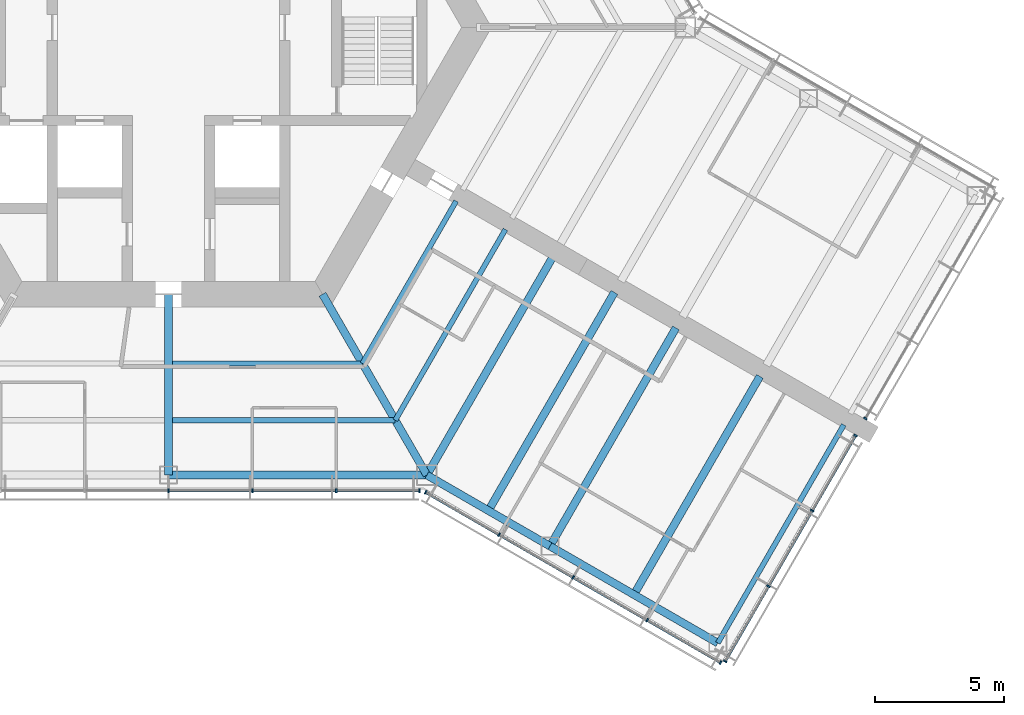
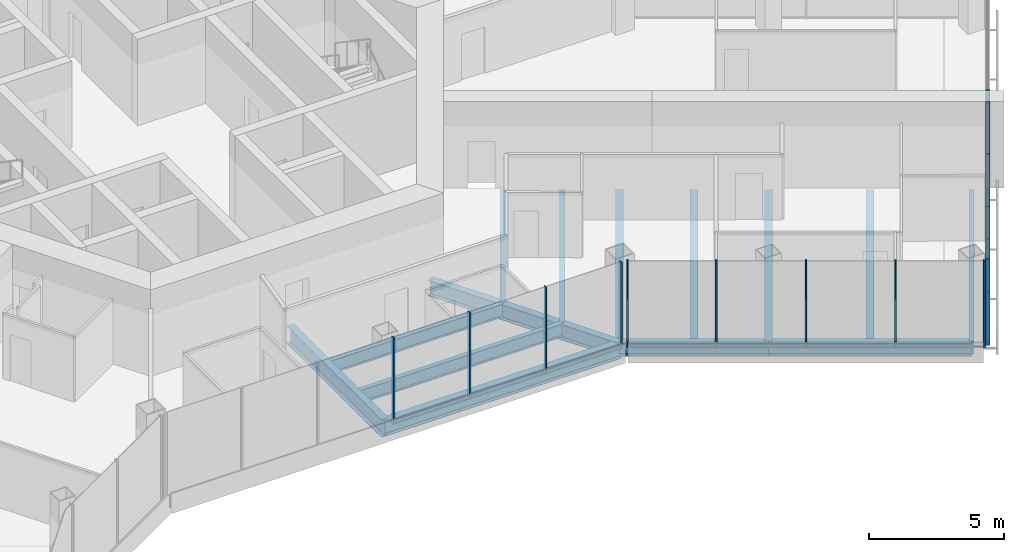
# One storey, part 5 of 19: 24 members, 14 beams, 4 elements without a shape of their own.
"""IFC4 building model written with IfcOpenShell, lengths in metres."""

import ifcopenshell
import ifcopenshell.guid

model = None  # the IFC model being written
_history = None  # IfcOwnerHistory: only IFC2X3 demands one
_inside = {}  # id of a spatial element -> (the spatial element, [elements in it])
_under = {}  # id of a project, library or spatial element -> (it, [spatial elements below it])
_declared = {}  # id of a project -> (the project, [libraries it declares])
_typed = {}  # id of a type object -> (the type object, [elements of that type])
_made_of = {}  # id of a material, layer set ... -> (it, [elements and type objects made of it])


def new_model(schema):
    """Start an empty IFC model of exactly this schema.

    Asked for "IFC4X3", IfcOpenShell would pick the latest addendum, in which some entities
    have other attributes; the version numbers below select the first issue.
    IFC2X3 requires an IfcOwnerHistory on every rooted entity: one is made here for all.
    """
    global model, _history
    if schema == "IFC4X3":
        model = ifcopenshell.file(schema_version=(4, 3, 0, 0))
    else:
        model = ifcopenshell.file(schema=schema)
    _inside.clear()
    _under.clear()
    _declared.clear()
    _typed.clear()
    _made_of.clear()
    _history = None
    if model.schema == "IFC2X3":
        org = make("IfcOrganization", Name="unknown")
        user = make(
            "IfcPersonAndOrganization",
            ThePerson=make("IfcPerson", FamilyName="unknown"),
            TheOrganization=org,
        )
        app = make(
            "IfcApplication",
            ApplicationDeveloper=org,
            Version="unknown",
            ApplicationFullName="unknown",
            ApplicationIdentifier="unknown",
        )
        _history = make(
            "IfcOwnerHistory",
            OwningUser=user,
            OwningApplication=app,
            ChangeAction="ADDED",
            CreationDate=0,
        )
    return model


def make(cls, **values):
    """One entity of the class cls with the attributes given. An attribute that is None is left unset."""
    return model.create_entity(
        cls, **{name: value for name, value in values.items() if value is not None}
    )


def rooted(cls, **values):
    """An entity with a GlobalId (a new one), such as an element, a storey or a relation."""
    return make(cls, GlobalId=ifcopenshell.guid.new(), OwnerHistory=_history, **values)


def si_unit(unit_type, name, prefix=None):
    """IfcSIUnit, for example si_unit("LENGTHUNIT", "METRE", prefix="MILLI")."""
    return make("IfcSIUnit", UnitType=unit_type, Prefix=prefix, Name=name)


def assignment(units):
    """IfcUnitAssignment: the units of a project."""
    return None if units is None else make("IfcUnitAssignment", Units=units)


def point(xyz):
    """IfcCartesianPoint."""
    return None if xyz is None else make("IfcCartesianPoint", Coordinates=xyz)


def direction(xyz):
    """IfcDirection."""
    return None if xyz is None else make("IfcDirection", DirectionRatios=xyz)


def frame(location, z_axis=None, x_axis=None):
    """IfcAxis2Placement3D, a coordinate frame: its origin and axes. An axis left out is left unset."""
    return make(
        "IfcAxis2Placement3D",
        Location=point(location),
        Axis=direction(z_axis),
        RefDirection=direction(x_axis),
    )


def frame_2d(location, x_axis=None):
    """IfcAxis2Placement2D, a coordinate frame in the plane: its origin and x axis."""
    return make(
        "IfcAxis2Placement2D", Location=point(location), RefDirection=direction(x_axis)
    )


def origin():
    """The frame at (0, 0, 0) with its axes left unset."""
    return frame((0.0, 0.0, 0.0))


def origin_2d():
    """The frame at (0, 0) in the plane with its x axis left unset."""
    return frame_2d((0.0, 0.0))


def place(relative_to, where):
    """IfcLocalPlacement: puts the frame where relative to a parent placement (None: the world)."""
    return make(
        "IfcLocalPlacement", PlacementRelTo=relative_to, RelativePlacement=where
    )


def context(
    kind, dimensions, precision=None, world=None, true_north=None, identifier=None
):
    """IfcGeometricRepresentationContext, for example the 3D "Model" context."""
    return make(
        "IfcGeometricRepresentationContext",
        ContextIdentifier=identifier,
        ContextType=kind,
        CoordinateSpaceDimension=dimensions,
        Precision=precision,
        WorldCoordinateSystem=world,
        TrueNorth=true_north,
    )


def subcontext(parent, identifier, kind, view, scale=None):
    """IfcGeometricRepresentationSubContext, for example "Body" below "Model"."""
    return make(
        "IfcGeometricRepresentationSubContext",
        ContextIdentifier=identifier,
        ContextType=kind,
        ParentContext=parent,
        TargetScale=scale,
        TargetView=view,
    )


def project(units=None, contexts=None):
    """IfcProject with its units and contexts."""
    return rooted(
        "IfcProject",
        Name="project",
        RepresentationContexts=contexts,
        UnitsInContext=assignment(units),
    )


def spatial(cls, under=None, at=None, **own):
    """A site, building, storey or space (cls), placed at a placement, below another one or the project."""
    s = rooted(cls, ObjectPlacement=at, **own)
    if under is not None:
        _under.setdefault(under.id(), (under, []))[1].append(s)
    return s


def profile(cls, at=None, kind="AREA", **sizes):
    """A parametric profile (cls). Its sizes go by their IFC names, for example OverallWidth=200.0."""
    return make(cls, ProfileType=kind, Position=at, **sizes)


def rectangle(**sizes):
    """IfcRectangleProfileDef."""
    return profile("IfcRectangleProfileDef", **sizes)


def i_section(**sizes):
    """IfcIShapeProfileDef."""
    return profile("IfcIShapeProfileDef", **sizes)


def extrude(swept, where, along, depth):
    """IfcExtrudedAreaSolid: the profile swept, set in the frame where, extruded along a direction by depth."""
    return make(
        "IfcExtrudedAreaSolid",
        SweptArea=swept,
        Position=where,
        ExtrudedDirection=direction(along),
        Depth=depth,
    )


def shape(context_of_items, identifier, shape_type, items):
    """IfcShapeRepresentation: the items that make up one representation, for example the "Body"."""
    return make(
        "IfcShapeRepresentation",
        ContextOfItems=context_of_items,
        RepresentationIdentifier=identifier,
        RepresentationType=shape_type,
        Items=items,
    )


def material(Name=None, Category=None):
    """IfcMaterial."""
    return make("IfcMaterial", Name=Name, Category=Category)


def material_profile(
    of_material, cross_section, Name=None, Category=None, Priority=None
):
    """IfcMaterialProfile: a cross section and its material."""
    return make(
        "IfcMaterialProfile",
        Name=Name,
        Material=of_material,
        Profile=cross_section,
        Priority=Priority,
        Category=Category,
    )


def profile_set(profiles, Name=None, composite=None):
    """IfcMaterialProfileSet."""
    return make(
        "IfcMaterialProfileSet",
        Name=Name,
        MaterialProfiles=profiles,
        CompositeProfile=composite,
    )


def made_of(thing, what):
    """Note that an element or type object is made of a material, layer set ...; save() writes the relation."""
    if what is not None:
        _made_of.setdefault(what.id(), (what, []))[1].append(thing)
    return thing


def type_object(cls, material=None, **own):
    """A type object (cls), such as IfcWallType, which elements share."""
    return made_of(rooted(cls, **own), material)


def element(
    cls,
    number,
    at=None,
    inside=None,
    cuts=None,
    type_object=None,
    material=None,
    context=None,
    identifier="Body",
    shape_type=None,
    held_by="IfcProductDefinitionShape",
    body=None,
    shapes=None,
    **own,
):
    """One element of the class cls, such as IfcWall. Its Tag is "e" and its number.

    at: its placement. inside: the storey or other place that contains it. cuts: it is an
    opening in that element (IfcRelVoidsElement). A single representation is given by context,
    identifier, shape_type and body (its items); several are given by shapes. held_by: the class
    of the entity that holds the representations. save() writes the other relations.
    """
    e = rooted(cls, Tag="e%d" % number, ObjectPlacement=at, **own)
    if body is not None:
        shapes = [shape(context, identifier, shape_type, body)]
    if shapes is not None:
        e.Representation = make(held_by, Representations=shapes)
    if inside is not None:
        _inside.setdefault(inside.id(), (inside, []))[1].append(e)
    if cuts is not None:
        rooted(
            "IfcRelVoidsElement", RelatingBuildingElement=cuts, RelatedOpeningElement=e
        )
    if type_object is not None:
        _typed.setdefault(type_object.id(), (type_object, []))[1].append(e)
    return made_of(e, material)


def aggregate(whole, parts):
    """IfcRelAggregates: a whole, such as a stair, and the parts it consists of."""
    return rooted("IfcRelAggregates", RelatingObject=whole, RelatedObjects=parts)


def save(model, path):
    """Write the relations noted so far, then the file.

    IfcRelAggregates (storeys below a building ...), IfcRelContainedInSpatialStructure (elements
    in a storey), IfcRelDefinesByType, IfcRelAssociatesMaterial and IfcRelDeclares: one each for
    every whole, place, type object, material and project.
    """
    for whole, parts in _under.values():
        aggregate(whole, parts)
    for where, things in _inside.values():
        rooted(
            "IfcRelContainedInSpatialStructure",
            RelatedElements=things,
            RelatingStructure=where,
        )
    for kind, things in _typed.values():
        rooted("IfcRelDefinesByType", RelatedObjects=things, RelatingType=kind)
    for what, things in _made_of.values():
        rooted("IfcRelAssociatesMaterial", RelatedObjects=things, RelatingMaterial=what)
    for by, libraries in _declared.values():
        rooted("IfcRelDeclares", RelatingContext=by, RelatedDefinitions=libraries)
    model.write(path)


model = new_model("IFC4")

# Units and contexts
model_context = context("Model", 3, precision=1e-05, world=origin(), true_north=direction((0.0, 1.0)))
body_context = subcontext(model_context, "Body", "Model", "MODEL_VIEW")
ifc_project = project(units=[si_unit("LENGTHUNIT", "METRE"), si_unit("AREAUNIT", "SQUARE_METRE"), si_unit("VOLUMEUNIT", "CUBIC_METRE"), si_unit("PLANEANGLEUNIT", "RADIAN"), si_unit("MASSUNIT", "GRAM", prefix="KILO")], contexts=[model_context])

# Site, building, storey
site_placement = place(None, origin())
site = spatial("IfcSite", under=ifc_project, at=site_placement, CompositionType="ELEMENT")
building_placement = place(site_placement, origin())
building = spatial("IfcBuilding", under=site, at=building_placement, Name="Kasaneha Research Tower", CompositionType="ELEMENT")
storey_placement = place(building_placement, frame((0.0, 0.0, 164.300048828125)))
storey = spatial("IfcBuildingStorey", under=building, at=storey_placement, Name="L41", CompositionType="ELEMENT", Elevation=164.300048828125)

# Beams
ifc_material_1 = material(Name="Steel SN490B", Category="steel")
ifc_material_profile_1 = material_profile(ifc_material_1, i_section(OverallWidth=0.199951171875, OverallDepth=0.60009765625, WebThickness=0.010986328125, FlangeThickness=0.01708984375, FilletRadius=0.012939453125, at=origin_2d()), Name="H-600x200x11x17")
ifc_profile_set_1 = profile_set([ifc_material_profile_1], Name="Steel SN490B")
beam_type_1 = type_object("IfcBeamType", Name="B1-3 secondary beam H-600x200x11x17", PredefinedType="JOIST", material=ifc_profile_set_1)
beam_1_placement = place(storey_placement, frame((7.505615234375, -13.0, -0.449951171875), z_axis=(-1.0, 0.0, 0.0), x_axis=(0.0, -1.0, 0.0)))
element("IfcBeam", 1, at=beam_1_placement, inside=storey, type_object=beam_type_1, Name="Secondary beam RS270R1 L41", PredefinedType="JOIST", context=body_context, shape_type="SweptSolid", body=[
    extrude(i_section(OverallWidth=0.199951171875, OverallDepth=0.60009765625, WebThickness=0.010986328125, FlangeThickness=0.01708984375, FilletRadius=0.012939453125, at=origin_2d()), origin(), (0.0, 0.0, 1.0), 7.355712890625),
])
beam_2_placement = place(storey_placement, frame((8.775634765625, -15.199951171875, -0.449951171875), z_axis=(-1.0, 0.0, 0.0), x_axis=(0.0, -1.0, 0.0)))
element("IfcBeam", 2, at=beam_2_placement, inside=storey, type_object=beam_type_1, Name="Secondary beam RS270R2 L41", PredefinedType="JOIST", context=body_context, shape_type="SweptSolid", body=[
    extrude(i_section(OverallWidth=0.199951171875, OverallDepth=0.60009765625, WebThickness=0.010986328125, FlangeThickness=0.01708984375, FilletRadius=0.012939453125, at=origin_2d()), origin(), (0.0, 0.0, 1.0), 8.625732421875),
])
beam_3_placement = place(storey_placement, frame((7.505615234375, -13.0, -0.449951171875), z_axis=(0.499993340521, 0.866029248602, 0.0), x_axis=(-0.866029248602, 0.499993340521, 0.0)))
element("IfcBeam", 3, at=beam_3_placement, inside=storey, type_object=beam_type_1, Name="Secondary beam RS330L1 L41", PredefinedType="JOIST", context=body_context, shape_type="SweptSolid", body=[
    extrude(i_section(OverallWidth=0.199951171875, OverallDepth=0.60009765625, WebThickness=0.010986328125, FlangeThickness=0.01708984375, FilletRadius=0.012939453125, at=origin_2d()), origin(), (0.0, 0.0, 1.0), 7.25537109375),
])
beam_4_placement = place(storey_placement, frame((8.775634765625, -15.199951171875, -0.449951171875), z_axis=(0.500004205306, 0.866022975836, 0.0), x_axis=(-0.866022975836, 0.500004205306, 0.0)))
element("IfcBeam", 4, at=beam_4_placement, inside=storey, type_object=beam_type_1, Name="Secondary beam RS330L2 L41", PredefinedType="JOIST", context=body_context, shape_type="SweptSolid", body=[
    extrude(i_section(OverallWidth=0.199951171875, OverallDepth=0.60009765625, WebThickness=0.010986328125, FlangeThickness=0.01708984375, FilletRadius=0.012939453125, at=origin_2d()), origin(), (0.0, 0.0, 1.0), 8.52587890625),
])
ifc_material_2 = material(Name="Steel SN490B", Category="steel")
ifc_material_profile_2 = material_profile(ifc_material_2, i_section(OverallWidth=0.300048828125, OverallDepth=0.58203125, WebThickness=0.011962890625, FlangeThickness=0.01708984375, FilletRadius=0.012939453125, at=origin_2d()), Name="H-582x300x12x17")
ifc_profile_set_2 = profile_set([ifc_material_profile_2], Name="Steel SN490B")
beam_type_2 = type_object("IfcBeamType", Name="B2-3 secondary beam H-582x300x12x17", PredefinedType="JOIST", material=ifc_profile_set_2)
for number, where, z_axis, x_axis, name in (
    (5, (12.381591796875, -18.695556640625, -0.441162109375), (0.499995560238, 0.866027967067, 0.0), (-0.866027967067, 0.499995560238, 0.0), "Secondary beam WBCP1 L41"),
    (6, (18.0107421875, -21.945556640625, -0.441162109375), (0.499995560238, 0.866027967067, 0.0), (-0.866027967067, 0.499995560238, 0.0), "Secondary beam WBCP2 L41"),
):
    element("IfcBeam", number, at=place(storey_placement, frame(where, z_axis=z_axis, x_axis=x_axis)), inside=storey, type_object=beam_type_2, Name=name, PredefinedType="JOIST", context=body_context, shape_type="SweptSolid", body=[
        extrude(i_section(OverallWidth=0.300048828125, OverallDepth=0.58203125, WebThickness=0.011962890625, FlangeThickness=0.01708984375, FilletRadius=0.012939453125, at=origin_2d()), origin(), (0.0, 0.0, 1.0), 9.75),
    ])

# Curtain wall, members
ifc_material_3 = material(Name="Glass and aluminium", Category="aluminium")
curtain_wall_type = type_object("IfcCurtainWallType", Name="Mid-rise office curtain wall", PredefinedType="USERDEFINED", material=ifc_material_3)
curtain_wall_1_placement = place(storey_placement, origin())
curtain_wall_1 = element("IfcCurtainWall", 7, at=curtain_wall_1_placement, inside=storey, type_object=curtain_wall_type, Name="CW-O2 L41 run 01a", ObjectType="UNITISED CURTAIN WALL", PredefinedType="USERDEFINED")
ifc_material_4 = material(Name="Aluminium 6063-T6", Category="aluminium")
ifc_material_profile_3 = material_profile(ifc_material_4, rectangle(XDim=0.06005859375, YDim=0.14990234375, at=origin_2d()), Name="CW-O2 mullion 60x150")
ifc_profile_set_3 = profile_set([ifc_material_profile_3], Name="Aluminium 6063-T6")
member_type_1 = type_object("IfcMemberType", Name="CW-O2 mullion", PredefinedType="MULLION", material=ifc_profile_set_3)
member_1_placement = place(storey_placement, frame((0.0, -17.92041015625, 0.0), z_axis=(0.0, 0.0, 1.0), x_axis=(1.0, 0.0, 0.0)))
member_1 = element("IfcMember", 8, at=member_1_placement, type_object=member_type_1, Name="CW-O2 mullion 4", PredefinedType="MULLION", context=body_context, shape_type="SweptSolid", body=[
    extrude(rectangle(XDim=0.06005859375, YDim=0.14990234375, at=origin_2d()), origin(), (0.0, 0.0, 1.0), 3.89990234375),
])
member_2_placement = place(storey_placement, frame((3.246337890625, -17.92041015625, 0.0), z_axis=(0.0, 0.0, 1.0), x_axis=(1.0, 0.0, 0.0)))
member_2 = element("IfcMember", 9, at=member_2_placement, type_object=member_type_1, Name="CW-O2 mullion 5", PredefinedType="MULLION", context=body_context, shape_type="SweptSolid", body=[
    extrude(rectangle(XDim=0.06005859375, YDim=0.14990234375, at=origin_2d()), origin(), (0.0, 0.0, 1.0), 3.89990234375),
])
member_3_placement = place(storey_placement, frame((6.492919921875, -17.92041015625, 0.0), z_axis=(0.0, 0.0, 1.0), x_axis=(1.0, 0.0, 0.0)))
member_3 = element("IfcMember", 10, at=member_3_placement, type_object=member_type_1, Name="CW-O2 mullion 6", PredefinedType="MULLION", context=body_context, shape_type="SweptSolid", body=[
    extrude(rectangle(XDim=0.06005859375, YDim=0.14990234375, at=origin_2d()), origin(), (0.0, 0.0, 1.0), 3.89990234375),
])
member_4_placement = place(storey_placement, frame((9.709228515625, -17.92041015625, 0.0), z_axis=(0.0, 0.0, 1.0), x_axis=(1.0, 0.0, 0.0)))
member_4 = element("IfcMember", 11, at=member_4_placement, type_object=member_type_1, Name="CW-O2 mullion 7", PredefinedType="MULLION", context=body_context, shape_type="SweptSolid", body=[
    extrude(rectangle(XDim=0.06005859375, YDim=0.14990234375, at=origin_2d()), origin(), (0.0, 0.0, 1.0), 3.89990234375),
])

curtain_wall_2_placement = place(storey_placement, origin())
curtain_wall_2 = element("IfcCurtainWall", 12, at=curtain_wall_2_placement, inside=storey, type_object=curtain_wall_type, Name="CW-O2 L41 run 02a", ObjectType="UNITISED CURTAIN WALL", PredefinedType="USERDEFINED")
member_5_placement = place(storey_placement, frame((9.951904296875, -17.985595703125, 0.0), z_axis=(0.0, 0.0, 1.0), x_axis=(0.866025411464, -0.499999986699, 0.0)))
member_5 = element("IfcMember", 13, at=member_5_placement, type_object=member_type_1, Name="CW-O2 mullion 1", PredefinedType="MULLION", context=body_context, shape_type="SweptSolid", body=[
    extrude(rectangle(XDim=0.06005859375, YDim=0.14990234375, at=origin_2d()), origin(), (0.0, 0.0, 1.0), 3.89990234375),
])
member_6_placement = place(storey_placement, frame((12.792236328125, -19.62548828125, 0.0), z_axis=(0.0, 0.0, 1.0), x_axis=(0.866025411464, -0.499999986699, 0.0)))
member_6 = element("IfcMember", 14, at=member_6_placement, type_object=member_type_1, Name="CW-O2 mullion 2", PredefinedType="MULLION", context=body_context, shape_type="SweptSolid", body=[
    extrude(rectangle(XDim=0.06005859375, YDim=0.14990234375, at=origin_2d()), origin(), (0.0, 0.0, 1.0), 3.89990234375),
])
member_7_placement = place(storey_placement, frame((15.65869140625, -21.2802734375, 0.0), z_axis=(0.0, 0.0, 1.0), x_axis=(0.866025411464, -0.499999986699, 0.0)))
member_7 = element("IfcMember", 15, at=member_7_placement, type_object=member_type_1, Name="CW-O2 mullion 3", PredefinedType="MULLION", context=body_context, shape_type="SweptSolid", body=[
    extrude(rectangle(XDim=0.06005859375, YDim=0.14990234375, at=origin_2d()), origin(), (0.0, 0.0, 1.0), 3.89990234375),
])
member_8_placement = place(storey_placement, frame((18.52490234375, -22.935302734375, 0.0), z_axis=(0.0, 0.0, 1.0), x_axis=(0.866025411464, -0.499999986699, 0.0)))
member_8 = element("IfcMember", 16, at=member_8_placement, type_object=member_type_1, Name="CW-O2 mullion 4", PredefinedType="MULLION", context=body_context, shape_type="SweptSolid", body=[
    extrude(rectangle(XDim=0.06005859375, YDim=0.14990234375, at=origin_2d()), origin(), (0.0, 0.0, 1.0), 3.89990234375),
])
member_9_placement = place(storey_placement, frame((21.365478515625, -24.5751953125, 0.0), z_axis=(0.0, 0.0, 1.0), x_axis=(0.866025411464, -0.499999986699, 0.0)))
member_9 = element("IfcMember", 17, at=member_9_placement, type_object=member_type_1, Name="CW-O2 mullion 5", PredefinedType="MULLION", context=body_context, shape_type="SweptSolid", body=[
    extrude(rectangle(XDim=0.06005859375, YDim=0.14990234375, at=origin_2d()), origin(), (0.0, 0.0, 1.0), 3.89990234375),
])

curtain_wall_3_placement = place(storey_placement, origin())
curtain_wall_3 = element("IfcCurtainWall", 18, at=curtain_wall_3_placement, inside=storey, type_object=curtain_wall_type, Name="CW-O2 L41 run 03a", ObjectType="UNITISED CURTAIN WALL", PredefinedType="USERDEFINED")
member_10_placement = place(storey_placement, frame((21.54296875, -24.527587890625, 0.0), z_axis=(0.0, 0.0, 1.0), x_axis=(0.500000011442, 0.866025397178, 0.0)))
member_10 = element("IfcMember", 19, at=member_10_placement, type_object=member_type_1, Name="CW-O2 mullion 1", PredefinedType="MULLION", context=body_context, shape_type="SweptSolid", body=[
    extrude(rectangle(XDim=0.06005859375, YDim=0.14990234375, at=origin_2d()), origin(), (0.0, 0.0, 1.0), 3.89990234375),
])
member_11_placement = place(storey_placement, frame((23.2197265625, -21.62353515625, 0.0), z_axis=(0.0, 0.0, 1.0), x_axis=(0.500000011442, 0.866025397178, 0.0)))
member_11 = element("IfcMember", 20, at=member_11_placement, type_object=member_type_1, Name="CW-O2 mullion 2", PredefinedType="MULLION", context=body_context, shape_type="SweptSolid", body=[
    extrude(rectangle(XDim=0.06005859375, YDim=0.14990234375, at=origin_2d()), origin(), (0.0, 0.0, 1.0), 3.89990234375),
])
member_12_placement = place(storey_placement, frame((24.911376953125, -18.693359375, 0.0), z_axis=(0.0, 0.0, 1.0), x_axis=(0.500000011442, 0.866025397178, 0.0)))
member_12 = element("IfcMember", 21, at=member_12_placement, type_object=member_type_1, Name="CW-O2 mullion 3", PredefinedType="MULLION", context=body_context, shape_type="SweptSolid", body=[
    extrude(rectangle(XDim=0.06005859375, YDim=0.14990234375, at=origin_2d()), origin(), (0.0, 0.0, 1.0), 3.89990234375),
])
member_13_placement = place(storey_placement, frame((26.587890625, -15.789306640625, 0.0), z_axis=(0.0, 0.0, 1.0), x_axis=(0.500000011442, 0.866025397178, 0.0)))
member_13 = element("IfcMember", 22, at=member_13_placement, type_object=member_type_1, Name="CW-O2 mullion 4", PredefinedType="MULLION", context=body_context, shape_type="SweptSolid", body=[
    extrude(rectangle(XDim=0.06005859375, YDim=0.14990234375, at=origin_2d()), origin(), (0.0, 0.0, 1.0), 3.89990234375),
])

# Curtain wall, member
curtain_wall_4_placement = place(storey_placement, origin())
curtain_wall_4 = element("IfcCurtainWall", 23, at=curtain_wall_4_placement, inside=storey, type_object=curtain_wall_type, Name="CW-O2 L41 run 04a", ObjectType="UNITISED CURTAIN WALL", PredefinedType="USERDEFINED")
member_14_placement = place(storey_placement, frame((26.968017578125, -15.131103515625, 0.0), z_axis=(0.0, 0.0, 1.0), x_axis=(0.500000011442, 0.866025397178, 0.0)))
member_14 = element("IfcMember", 24, at=member_14_placement, type_object=member_type_1, Name="CW-O2 mullion 1", PredefinedType="MULLION", context=body_context, shape_type="SweptSolid", body=[
    extrude(rectangle(XDim=0.06005859375, YDim=0.14990234375, at=origin_2d()), origin(), (0.0, 0.0, 1.0), 3.89990234375),
])
aggregate(curtain_wall_4, [member_14])

# Member
ifc_material_5 = material(Name="Aluminium 6063-T6", Category="aluminium")
ifc_material_profile_4 = material_profile(ifc_material_5, rectangle(XDim=0.110107421875, YDim=0.06005859375, at=origin_2d()), Name="CW-O2 transom 110x60")
ifc_profile_set_4 = profile_set([ifc_material_profile_4], Name="Aluminium 6063-T6")
member_type_2 = type_object("IfcMemberType", Name="CW-O2 transom", PredefinedType="USERDEFINED", material=ifc_profile_set_4)
member_15_placement = place(storey_placement, frame((0.030029296875, -17.92041015625, 0.030029296875), z_axis=(1.0, 0.0, 0.0), x_axis=(0.0, 1.0, 0.0)))
member_15 = element("IfcMember", 25, at=member_15_placement, type_object=member_type_2, Name="CW-O2 transom 4", ObjectType="TRANSOM", PredefinedType="USERDEFINED", context=body_context, shape_type="SweptSolid", body=[
    extrude(rectangle(XDim=0.110107421875, YDim=0.06005859375, at=origin_2d()), origin(), (0.0, 0.0, 1.0), 3.186279296875),
])

member_16_placement = place(storey_placement, frame((3.2763671875, -17.92041015625, 0.030029296875), z_axis=(1.0, 0.0, 0.0), x_axis=(0.0, 1.0, 0.0)))
member_16 = element("IfcMember", 26, at=member_16_placement, type_object=member_type_2, Name="CW-O2 transom 5", ObjectType="TRANSOM", PredefinedType="USERDEFINED", context=body_context, shape_type="SweptSolid", body=[
    extrude(rectangle(XDim=0.110107421875, YDim=0.06005859375, at=origin_2d()), origin(), (0.0, 0.0, 1.0), 3.1865234375),
])

member_17_placement = place(storey_placement, frame((6.522705078125, -17.92041015625, 0.030029296875), z_axis=(1.0, 0.0, 0.0), x_axis=(0.0, 1.0, 0.0)))
member_17 = element("IfcMember", 27, at=member_17_placement, type_object=member_type_2, Name="CW-O2 transom 6", ObjectType="TRANSOM", PredefinedType="USERDEFINED", context=body_context, shape_type="SweptSolid", body=[
    extrude(rectangle(XDim=0.110107421875, YDim=0.06005859375, at=origin_2d()), origin(), (0.0, 0.0, 1.0), 3.156494140625),
])

aggregate(curtain_wall_1, [member_1, member_2, member_3, member_4, member_15, member_16, member_17])

member_18_placement = place(storey_placement, frame((9.977783203125, -18.00048828125, 0.030029296875), z_axis=(0.866022692473, -0.500004696101, 0.0), x_axis=(0.500004696101, 0.866022692473, 0.0)))
member_18 = element("IfcMember", 28, at=member_18_placement, type_object=member_type_2, Name="CW-O2 transom 1", ObjectType="TRANSOM", PredefinedType="USERDEFINED", context=body_context, shape_type="SweptSolid", body=[
    extrude(rectangle(XDim=0.110107421875, YDim=0.06005859375, at=origin_2d()), origin(), (0.0, 0.0, 1.0), 3.2197265625),
])

member_19_placement = place(storey_placement, frame((12.818115234375, -19.640380859375, 0.030029296875), z_axis=(0.866015446554, -0.500017246033, 0.0), x_axis=(0.500017246033, 0.866015446554, 0.0)))
member_19 = element("IfcMember", 29, at=member_19_placement, type_object=member_type_2, Name="CW-O2 transom 2", ObjectType="TRANSOM", PredefinedType="USERDEFINED", context=body_context, shape_type="SweptSolid", body=[
    extrude(rectangle(XDim=0.110107421875, YDim=0.06005859375, at=origin_2d()), origin(), (0.0, 0.0, 1.0), 3.25),
])

member_20_placement = place(storey_placement, frame((15.6845703125, -21.29541015625, 0.030029296875), z_axis=(0.86604797581, -0.499960902066, 0.0), x_axis=(0.499960902066, 0.86604797581, 0.0)))
member_20 = element("IfcMember", 30, at=member_20_placement, type_object=member_type_2, Name="CW-O2 transom 3", ObjectType="TRANSOM", PredefinedType="USERDEFINED", context=body_context, shape_type="SweptSolid", body=[
    extrude(rectangle(XDim=0.110107421875, YDim=0.06005859375, at=origin_2d()), origin(), (0.0, 0.0, 1.0), 3.249755859375),
])

member_21_placement = place(storey_placement, frame((18.551025390625, -22.9501953125, 0.030029296875), z_axis=(0.866022692473, -0.500004696101, 0.0), x_axis=(0.500004696101, 0.866022692473, 0.0)))
member_21 = element("IfcMember", 31, at=member_21_placement, type_object=member_type_2, Name="CW-O2 transom 4", ObjectType="TRANSOM", PredefinedType="USERDEFINED", context=body_context, shape_type="SweptSolid", body=[
    extrude(rectangle(XDim=0.110107421875, YDim=0.06005859375, at=origin_2d()), origin(), (0.0, 0.0, 1.0), 3.2197265625),
])

aggregate(curtain_wall_2, [member_5, member_6, member_7, member_8, member_9, member_18, member_19, member_20, member_21])

member_22_placement = place(storey_placement, frame((21.557861328125, -24.50146484375, 0.030029296875), z_axis=(0.500021914551, 0.866012751043, 0.0), x_axis=(-0.866012751043, 0.500021914551, 0.0)))
member_22 = element("IfcMember", 32, at=member_22_placement, type_object=member_type_2, Name="CW-O2 transom 1", ObjectType="TRANSOM", PredefinedType="USERDEFINED", context=body_context, shape_type="SweptSolid", body=[
    extrude(rectangle(XDim=0.110107421875, YDim=0.06005859375, at=origin_2d()), origin(), (0.0, 0.0, 1.0), 3.293212890625),
])

member_23_placement = place(storey_placement, frame((23.234619140625, -21.597412109375, 0.030029296875), z_axis=(0.500010745865, 0.866019199568, 0.0), x_axis=(-0.866019199568, 0.500010745865, 0.0)))
member_23 = element("IfcMember", 33, at=member_23_placement, type_object=member_type_2, Name="CW-O2 transom 2", ObjectType="TRANSOM", PredefinedType="USERDEFINED", context=body_context, shape_type="SweptSolid", body=[
    extrude(rectangle(XDim=0.110107421875, YDim=0.06005859375, at=origin_2d()), origin(), (0.0, 0.0, 1.0), 3.3232421875),
])

member_24_placement = place(storey_placement, frame((24.92626953125, -18.66748046875, 0.030029296875), z_axis=(0.500021914551, 0.866012751043, 0.0), x_axis=(-0.866012751043, 0.500021914551, 0.0)))
member_24 = element("IfcMember", 34, at=member_24_placement, type_object=member_type_2, Name="CW-O2 transom 3", ObjectType="TRANSOM", PredefinedType="USERDEFINED", context=body_context, shape_type="SweptSolid", body=[
    extrude(rectangle(XDim=0.110107421875, YDim=0.06005859375, at=origin_2d()), origin(), (0.0, 0.0, 1.0), 3.293212890625),
])

aggregate(curtain_wall_3, [member_10, member_11, member_12, member_13, member_22, member_23, member_24])

# Beams
ifc_material_6 = material(Name="Steel SN490B", Category="steel")
ifc_material_profile_5 = material_profile(ifc_material_6, i_section(OverallWidth=0.300048828125, OverallDepth=0.699951171875, WebThickness=0.012939453125, FlangeThickness=0.02392578125, FilletRadius=0.01806640625, at=origin_2d()), Name="H-700x300x13x24")
ifc_profile_set_5 = profile_set([ifc_material_profile_5], Name="Steel SN490B")
beam_type_3 = type_object("IfcBeamType", Name="G1-3 radial girder H-700x300x13x24", PredefinedType="BEAM", material=ifc_profile_set_5)
beam_5_placement = place(storey_placement, frame((5.961181640625, -10.324951171875, -0.5), z_axis=(0.49999105496, -0.866030568144, 0.0), x_axis=(0.866030568144, 0.49999105496, 0.0)))
element("IfcBeam", 35, at=beam_5_placement, inside=storey, type_object=beam_type_3, Name="Radial girder RV300 L41", PredefinedType="BEAM", context=body_context, shape_type="SweptSolid", body=[
    extrude(i_section(OverallWidth=0.300048828125, OverallDepth=0.699951171875, WebThickness=0.012939453125, FlangeThickness=0.02392578125, FilletRadius=0.01806640625, at=origin_2d()), origin(), (0.0, 0.0, 1.0), 8.077880859375),
])
ifc_material_7 = material(Name="Steel SN490B", Category="steel")
ifc_material_profile_6 = material_profile(ifc_material_7, i_section(OverallWidth=0.300048828125, OverallDepth=0.800048828125, WebThickness=0.013916015625, FlangeThickness=0.02587890625, FilletRadius=0.01806640625, at=origin_2d()), Name="H-800x300x14x26")
ifc_profile_set_6 = profile_set([ifc_material_profile_6], Name="Steel SN490B")
beam_type_4 = type_object("IfcBeamType", Name="G2-3 radial girder H-800x300x14x26", PredefinedType="BEAM", material=ifc_profile_set_6)
beam_6_placement = place(storey_placement, frame((0.0, -10.324951171875, -0.550048828125), z_axis=(0.0, -1.0, 0.0), x_axis=(1.0, 0.0, 0.0)))
element("IfcBeam", 36, at=beam_6_placement, inside=storey, type_object=beam_type_4, Name="Radial girder RM270 L41", PredefinedType="BEAM", context=body_context, shape_type="SweptSolid", body=[
    extrude(i_section(OverallWidth=0.300048828125, OverallDepth=0.800048828125, WebThickness=0.013916015625, FlangeThickness=0.02587890625, FilletRadius=0.01806640625, at=origin_2d()), origin(), (0.0, 0.0, 1.0), 6.99560546875),
])
ifc_material_8 = material(Name="Steel SN490B", Category="steel")
ifc_material_profile_7 = material_profile(ifc_material_8, i_section(OverallWidth=0.300048828125, OverallDepth=0.69189453125, WebThickness=0.012939453125, FlangeThickness=0.02001953125, FilletRadius=0.01806640625, at=origin_2d()), Name="H-692x300x13x20")
ifc_profile_set_7 = profile_set([ifc_material_profile_7], Name="Steel SN490B")
beam_type_5 = type_object("IfcBeamType", Name="G3-3 plate edge girder H-692x300x13x20", PredefinedType="BEAM", material=ifc_profile_set_7)
beam_7_placement = place(storey_placement, frame((10.0, -17.320556640625, -0.49609375), z_axis=(0.499995560238, 0.866027967067, 0.0), x_axis=(-0.866027967067, 0.499995560238, 0.0)))
element("IfcBeam", 37, at=beam_7_placement, inside=storey, type_object=beam_type_5, Name="Plate edge girder PECP L41", PredefinedType="BEAM", context=body_context, shape_type="SweptSolid", body=[
    extrude(i_section(OverallWidth=0.300048828125, OverallDepth=0.69189453125, WebThickness=0.012939453125, FlangeThickness=0.02001953125, FilletRadius=0.01806640625, at=origin_2d()), origin(), (0.0, 0.0, 1.0), 9.75),
])
ifc_material_9 = material(Name="Steel SN490B", Category="steel")
ifc_material_profile_8 = material_profile(ifc_material_9, i_section(OverallWidth=0.300048828125, OverallDepth=0.699951171875, WebThickness=0.012939453125, FlangeThickness=0.02392578125, FilletRadius=0.01806640625, at=origin_2d()), Name="H-700x300x13x24")
ifc_profile_set_8 = profile_set([ifc_material_profile_8], Name="Steel SN490B")
beam_type_6 = type_object("IfcBeamType", Name="G4-3 wing girder H-700x300x13x24", PredefinedType="BEAM", material=ifc_profile_set_8)
beam_8_placement = place(storey_placement, frame((14.76318359375, -20.070556640625, -0.5), z_axis=(0.499995560238, 0.866027967067, 0.0), x_axis=(-0.866027967067, 0.499995560238, 0.0)))
element("IfcBeam", 38, at=beam_8_placement, inside=storey, type_object=beam_type_6, Name="Wing girder WGCP L41", PredefinedType="BEAM", context=body_context, shape_type="SweptSolid", body=[
    extrude(i_section(OverallWidth=0.300048828125, OverallDepth=0.699951171875, WebThickness=0.012939453125, FlangeThickness=0.02392578125, FilletRadius=0.01806640625, at=origin_2d()), origin(), (0.0, 0.0, 1.0), 9.75),
])
ifc_material_10 = material(Name="Steel SN490B", Category="steel")
ifc_material_profile_9 = material_profile(ifc_material_10, i_section(OverallWidth=0.300048828125, OverallDepth=0.69189453125, WebThickness=0.012939453125, FlangeThickness=0.02001953125, FilletRadius=0.01806640625, at=origin_2d()), Name="H-692x300x13x20")
ifc_profile_set_9 = profile_set([ifc_material_profile_9], Name="Steel SN490B")
beam_type_7 = type_object("IfcBeamType", Name="SB1-3 spandrel beam H-692x300x13x20", PredefinedType="SPANDREL", material=ifc_profile_set_9)
beam_9_placement = place(storey_placement, frame((10.0, -17.320556640625, -0.49609375), z_axis=(-1.0, 0.0, 0.0), x_axis=(0.0, -1.0, 0.0)))
element("IfcBeam", 39, at=beam_9_placement, inside=storey, type_object=beam_type_7, Name="Spandrel beam SR270R L41", PredefinedType="SPANDREL", context=body_context, shape_type="SweptSolid", body=[
    extrude(i_section(OverallWidth=0.300048828125, OverallDepth=0.69189453125, WebThickness=0.012939453125, FlangeThickness=0.02001953125, FilletRadius=0.01806640625, at=origin_2d()), origin(), (0.0, 0.0, 1.0), 10.0),
])
ifc_material_11 = material(Name="Steel SN490B", Category="steel")
ifc_material_profile_10 = material_profile(ifc_material_11, i_section(OverallWidth=0.300048828125, OverallDepth=0.58203125, WebThickness=0.011962890625, FlangeThickness=0.01708984375, FilletRadius=0.012939453125, at=origin_2d()), Name="H-582x300x12x17")
ifc_profile_set_10 = profile_set([ifc_material_profile_10], Name="Steel SN490B")
beam_type_8 = type_object("IfcBeamType", Name="SB2-3 spandrel beam H-582x300x12x17", PredefinedType="SPANDREL", material=ifc_profile_set_10)
beam_10_placement = place(storey_placement, frame((10.0, -17.320556640625, -0.441162109375), z_axis=(0.866027397988, -0.499996545922, 0.0), x_axis=(0.499996545922, 0.866027397988, 0.0)))
element("IfcBeam", 40, at=beam_10_placement, inside=storey, type_object=beam_type_8, Name="Spandrel beam WSCP1 L41", PredefinedType="SPANDREL", context=body_context, shape_type="SweptSolid", body=[
    extrude(i_section(OverallWidth=0.300048828125, OverallDepth=0.58203125, WebThickness=0.011962890625, FlangeThickness=0.01708984375, FilletRadius=0.012939453125, at=origin_2d()), origin(), (0.0, 0.0, 1.0), 5.5),
])
beam_11_placement = place(storey_placement, frame((14.76318359375, -20.070556640625, -0.441162109375), z_axis=(0.866022959057, -0.500004234368, 0.0), x_axis=(0.500004234368, 0.866022959057, 0.0)))
element("IfcBeam", 41, at=beam_11_placement, inside=storey, type_object=beam_type_8, Name="Spandrel beam WSCP2 L41", PredefinedType="SPANDREL", context=body_context, shape_type="SweptSolid", body=[
    extrude(i_section(OverallWidth=0.300048828125, OverallDepth=0.58203125, WebThickness=0.011962890625, FlangeThickness=0.01708984375, FilletRadius=0.012939453125, at=origin_2d()), origin(), (0.0, 0.0, 1.0), 7.5),
])
ifc_material_12 = material(Name="Steel SN490B", Category="steel")
ifc_material_profile_11 = material_profile(ifc_material_12, i_section(OverallWidth=0.199951171875, OverallDepth=0.60009765625, WebThickness=0.010986328125, FlangeThickness=0.01708984375, FilletRadius=0.012939453125, at=origin_2d()), Name="H-600x200x11x17")
ifc_profile_set_11 = profile_set([ifc_material_profile_11], Name="Steel SN490B")
beam_type_9 = type_object("IfcBeamType", Name="SB3-3 spandrel beam H-600x200x11x17", PredefinedType="SPANDREL", material=ifc_profile_set_11)
beam_12_placement = place(storey_placement, frame((21.25830078125, -23.820556640625, -0.449951171875), z_axis=(0.499995560238, 0.866027967067, 0.0), x_axis=(-0.866027967067, 0.499995560238, 0.0)))
element("IfcBeam", 42, at=beam_12_placement, inside=storey, type_object=beam_type_9, Name="Spandrel beam WTCP L41", PredefinedType="SPANDREL", context=body_context, shape_type="SweptSolid", body=[
    extrude(i_section(OverallWidth=0.199951171875, OverallDepth=0.60009765625, WebThickness=0.010986328125, FlangeThickness=0.01708984375, FilletRadius=0.012939453125, at=origin_2d()), origin(), (0.0, 0.0, 1.0), 9.75),
])

save(model, "model.ifc")
